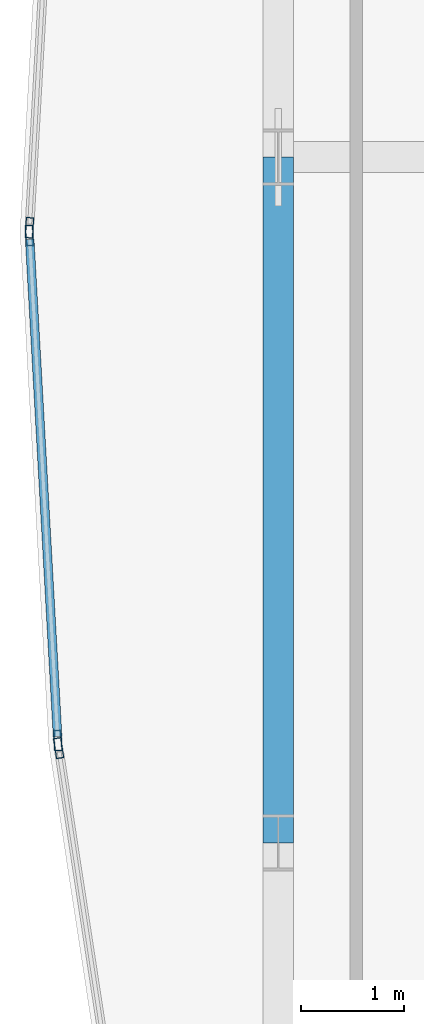
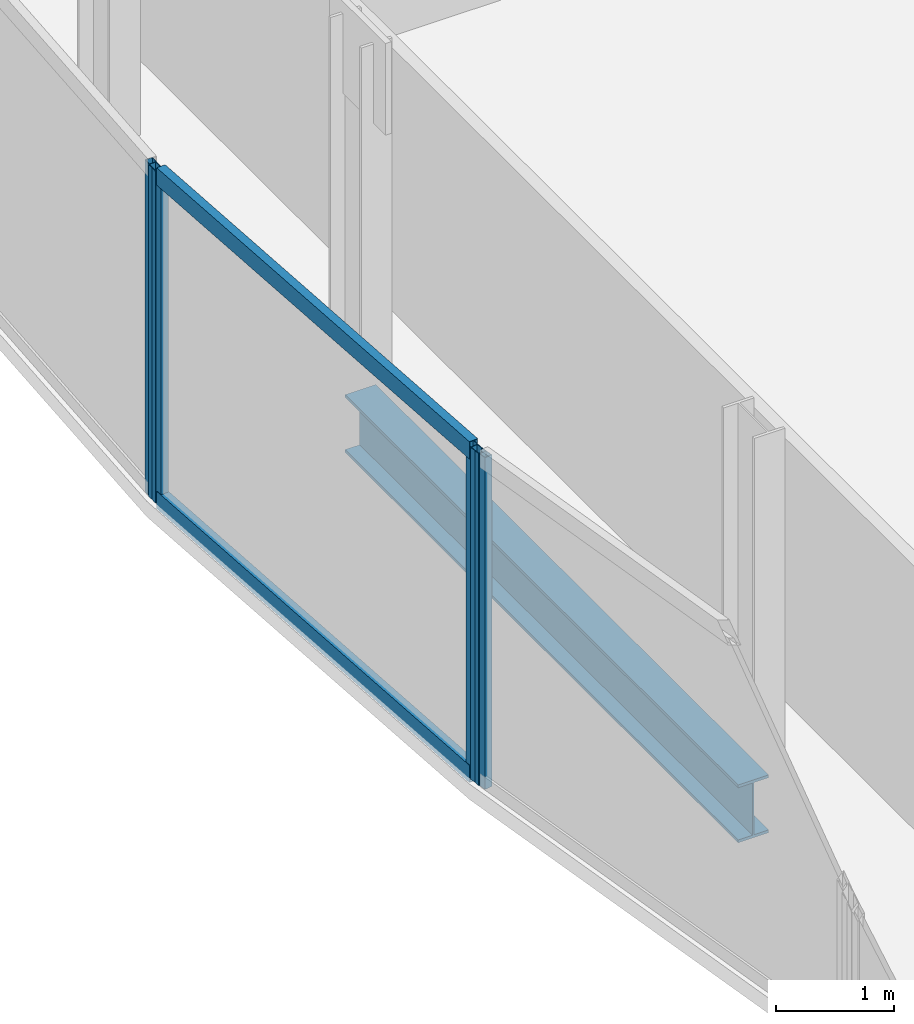
# One storey, part 10 of 33: 6 members, 1 beam, 3 elements without a shape of their own.
"""IFC4 building model written with IfcOpenShell, lengths in metres."""

import ifcopenshell
import ifcopenshell.guid

model = None  # the IFC model being written
_history = None  # IfcOwnerHistory: only IFC2X3 demands one
_inside = {}  # id of a spatial element -> (the spatial element, [elements in it])
_under = {}  # id of a project, library or spatial element -> (it, [spatial elements below it])
_declared = {}  # id of a project -> (the project, [libraries it declares])
_typed = {}  # id of a type object -> (the type object, [elements of that type])
_made_of = {}  # id of a material, layer set ... -> (it, [elements and type objects made of it])


def new_model(schema):
    """Start an empty IFC model of exactly this schema.

    Asked for "IFC4X3", IfcOpenShell would pick the latest addendum, in which some entities
    have other attributes; the version numbers below select the first issue.
    IFC2X3 requires an IfcOwnerHistory on every rooted entity: one is made here for all.
    """
    global model, _history
    if schema == "IFC4X3":
        model = ifcopenshell.file(schema_version=(4, 3, 0, 0))
    else:
        model = ifcopenshell.file(schema=schema)
    _inside.clear()
    _under.clear()
    _declared.clear()
    _typed.clear()
    _made_of.clear()
    _history = None
    if model.schema == "IFC2X3":
        org = make("IfcOrganization", Name="unknown")
        user = make(
            "IfcPersonAndOrganization",
            ThePerson=make("IfcPerson", FamilyName="unknown"),
            TheOrganization=org,
        )
        app = make(
            "IfcApplication",
            ApplicationDeveloper=org,
            Version="unknown",
            ApplicationFullName="unknown",
            ApplicationIdentifier="unknown",
        )
        _history = make(
            "IfcOwnerHistory",
            OwningUser=user,
            OwningApplication=app,
            ChangeAction="ADDED",
            CreationDate=0,
        )
    return model


def make(cls, **values):
    """One entity of the class cls with the attributes given. An attribute that is None is left unset."""
    return model.create_entity(
        cls, **{name: value for name, value in values.items() if value is not None}
    )


def rooted(cls, **values):
    """An entity with a GlobalId (a new one), such as an element, a storey or a relation."""
    return make(cls, GlobalId=ifcopenshell.guid.new(), OwnerHistory=_history, **values)


def si_unit(unit_type, name, prefix=None):
    """IfcSIUnit, for example si_unit("LENGTHUNIT", "METRE", prefix="MILLI")."""
    return make("IfcSIUnit", UnitType=unit_type, Prefix=prefix, Name=name)


def assignment(units):
    """IfcUnitAssignment: the units of a project."""
    return None if units is None else make("IfcUnitAssignment", Units=units)


def point(xyz):
    """IfcCartesianPoint."""
    return None if xyz is None else make("IfcCartesianPoint", Coordinates=xyz)


def direction(xyz):
    """IfcDirection."""
    return None if xyz is None else make("IfcDirection", DirectionRatios=xyz)


def frame(location, z_axis=None, x_axis=None):
    """IfcAxis2Placement3D, a coordinate frame: its origin and axes. An axis left out is left unset."""
    return make(
        "IfcAxis2Placement3D",
        Location=point(location),
        Axis=direction(z_axis),
        RefDirection=direction(x_axis),
    )


def frame_2d(location, x_axis=None):
    """IfcAxis2Placement2D, a coordinate frame in the plane: its origin and x axis."""
    return make(
        "IfcAxis2Placement2D", Location=point(location), RefDirection=direction(x_axis)
    )


def origin():
    """The frame at (0, 0, 0) with its axes left unset."""
    return frame((0.0, 0.0, 0.0))


def origin_2d():
    """The frame at (0, 0) in the plane with its x axis left unset."""
    return frame_2d((0.0, 0.0))


def place(relative_to, where):
    """IfcLocalPlacement: puts the frame where relative to a parent placement (None: the world)."""
    return make(
        "IfcLocalPlacement", PlacementRelTo=relative_to, RelativePlacement=where
    )


def context(
    kind, dimensions, precision=None, world=None, true_north=None, identifier=None
):
    """IfcGeometricRepresentationContext, for example the 3D "Model" context."""
    return make(
        "IfcGeometricRepresentationContext",
        ContextIdentifier=identifier,
        ContextType=kind,
        CoordinateSpaceDimension=dimensions,
        Precision=precision,
        WorldCoordinateSystem=world,
        TrueNorth=true_north,
    )


def subcontext(parent, identifier, kind, view, scale=None):
    """IfcGeometricRepresentationSubContext, for example "Body" below "Model"."""
    return make(
        "IfcGeometricRepresentationSubContext",
        ContextIdentifier=identifier,
        ContextType=kind,
        ParentContext=parent,
        TargetScale=scale,
        TargetView=view,
    )


def project(units=None, contexts=None):
    """IfcProject with its units and contexts."""
    return rooted(
        "IfcProject",
        Name="project",
        RepresentationContexts=contexts,
        UnitsInContext=assignment(units),
    )


def spatial(cls, under=None, at=None, **own):
    """A site, building, storey or space (cls), placed at a placement, below another one or the project."""
    s = rooted(cls, ObjectPlacement=at, **own)
    if under is not None:
        _under.setdefault(under.id(), (under, []))[1].append(s)
    return s


def profile(cls, at=None, kind="AREA", **sizes):
    """A parametric profile (cls). Its sizes go by their IFC names, for example OverallWidth=200.0."""
    return make(cls, ProfileType=kind, Position=at, **sizes)


def hollow_rectangle(**sizes):
    """IfcRectangleHollowProfileDef."""
    return profile("IfcRectangleHollowProfileDef", **sizes)


def i_section(**sizes):
    """IfcIShapeProfileDef."""
    return profile("IfcIShapeProfileDef", **sizes)


def extrude(swept, where, along, depth):
    """IfcExtrudedAreaSolid: the profile swept, set in the frame where, extruded along a direction by depth."""
    return make(
        "IfcExtrudedAreaSolid",
        SweptArea=swept,
        Position=where,
        ExtrudedDirection=direction(along),
        Depth=depth,
    )


def shape(context_of_items, identifier, shape_type, items):
    """IfcShapeRepresentation: the items that make up one representation, for example the "Body"."""
    return make(
        "IfcShapeRepresentation",
        ContextOfItems=context_of_items,
        RepresentationIdentifier=identifier,
        RepresentationType=shape_type,
        Items=items,
    )


def material(Name=None, Category=None):
    """IfcMaterial."""
    return make("IfcMaterial", Name=Name, Category=Category)


def material_profile(
    of_material, cross_section, Name=None, Category=None, Priority=None
):
    """IfcMaterialProfile: a cross section and its material."""
    return make(
        "IfcMaterialProfile",
        Name=Name,
        Material=of_material,
        Profile=cross_section,
        Priority=Priority,
        Category=Category,
    )


def profile_set(profiles, Name=None, composite=None):
    """IfcMaterialProfileSet."""
    return make(
        "IfcMaterialProfileSet",
        Name=Name,
        MaterialProfiles=profiles,
        CompositeProfile=composite,
    )


def made_of(thing, what):
    """Note that an element or type object is made of a material, layer set ...; save() writes the relation."""
    if what is not None:
        _made_of.setdefault(what.id(), (what, []))[1].append(thing)
    return thing


def type_object(cls, material=None, **own):
    """A type object (cls), such as IfcWallType, which elements share."""
    return made_of(rooted(cls, **own), material)


def element(
    cls,
    number,
    at=None,
    inside=None,
    cuts=None,
    type_object=None,
    material=None,
    context=None,
    identifier="Body",
    shape_type=None,
    held_by="IfcProductDefinitionShape",
    body=None,
    shapes=None,
    **own,
):
    """One element of the class cls, such as IfcWall. Its Tag is "e" and its number.

    at: its placement. inside: the storey or other place that contains it. cuts: it is an
    opening in that element (IfcRelVoidsElement). A single representation is given by context,
    identifier, shape_type and body (its items); several are given by shapes. held_by: the class
    of the entity that holds the representations. save() writes the other relations.
    """
    e = rooted(cls, Tag="e%d" % number, ObjectPlacement=at, **own)
    if body is not None:
        shapes = [shape(context, identifier, shape_type, body)]
    if shapes is not None:
        e.Representation = make(held_by, Representations=shapes)
    if inside is not None:
        _inside.setdefault(inside.id(), (inside, []))[1].append(e)
    if cuts is not None:
        rooted(
            "IfcRelVoidsElement", RelatingBuildingElement=cuts, RelatedOpeningElement=e
        )
    if type_object is not None:
        _typed.setdefault(type_object.id(), (type_object, []))[1].append(e)
    return made_of(e, material)


def aggregate(whole, parts):
    """IfcRelAggregates: a whole, such as a stair, and the parts it consists of."""
    return rooted("IfcRelAggregates", RelatingObject=whole, RelatedObjects=parts)


def save(model, path):
    """Write the relations noted so far, then the file.

    IfcRelAggregates (storeys below a building ...), IfcRelContainedInSpatialStructure (elements
    in a storey), IfcRelDefinesByType, IfcRelAssociatesMaterial and IfcRelDeclares: one each for
    every whole, place, type object, material and project.
    """
    for whole, parts in _under.values():
        aggregate(whole, parts)
    for where, things in _inside.values():
        rooted(
            "IfcRelContainedInSpatialStructure",
            RelatedElements=things,
            RelatingStructure=where,
        )
    for kind, things in _typed.values():
        rooted("IfcRelDefinesByType", RelatedObjects=things, RelatingType=kind)
    for what, things in _made_of.values():
        rooted("IfcRelAssociatesMaterial", RelatedObjects=things, RelatingMaterial=what)
    for by, libraries in _declared.values():
        rooted("IfcRelDeclares", RelatingContext=by, RelatedDefinitions=libraries)
    model.write(path)


model = new_model("IFC4")

# Units and contexts
model_context = context("Model", 3, precision=1e-05, world=origin(), true_north=direction((0.0, 1.0)))
body_context = subcontext(model_context, "Body", "Model", "MODEL_VIEW")
ifc_project = project(units=[si_unit("LENGTHUNIT", "METRE"), si_unit("AREAUNIT", "SQUARE_METRE"), si_unit("VOLUMEUNIT", "CUBIC_METRE"), si_unit("PLANEANGLEUNIT", "RADIAN"), si_unit("MASSUNIT", "GRAM", prefix="KILO")], contexts=[model_context])

# Site, building, storey
site_placement = place(None, origin())
site = spatial("IfcSite", under=ifc_project, at=site_placement, CompositionType="ELEMENT")
building_placement = place(site_placement, origin())
building = spatial("IfcBuilding", under=site, at=building_placement, Name="Khoronbel Lancet Exchange", CompositionType="ELEMENT")
storey_placement = place(building_placement, frame((0.0, 0.0, 114.60009765625)))
storey = spatial("IfcBuildingStorey", under=building, at=storey_placement, Name="L27", CompositionType="ELEMENT", Elevation=114.60009765625)

# Beam
ifc_material_1 = material(Name="Steel S355", Category="steel")
ifc_material_profile_1 = material_profile(ifc_material_1, i_section(OverallWidth=0.300048828125, OverallDepth=0.60009765625, WebThickness=0.015380859375, FlangeThickness=0.030029296875, at=origin_2d()), Name="HEB 600")
ifc_profile_set_1 = profile_set([ifc_material_profile_1], Name="Steel S355")
beam_type = type_object("IfcBeamType", Name="BM-BSP2", PredefinedType="SPANDREL", material=ifc_profile_set_1)
beam_placement = place(storey_placement, frame((3.27001953125, 31.425048828125, -0.460205078125), z_axis=(0.0, -1.0, 0.0), x_axis=(1.0, 0.0, 0.0)))
element("IfcBeam", 1, at=beam_placement, inside=storey, type_object=beam_type, Name="Level L27 perimeter spandrel beam SP19", PredefinedType="SPANDREL", context=body_context, shape_type="SweptSolid", body=[
    extrude(i_section(OverallWidth=0.300048828125, OverallDepth=0.60009765625, WebThickness=0.015380859375, FlangeThickness=0.030029296875, at=origin_2d()), origin(), (0.0, 0.0, 1.0), 6.675048828125),
])

# Curtain wall, member
ifc_material_2 = material(Name="Low-E Solar Control Insulating Glass", Category="glass")
curtain_wall_type = type_object("IfcCurtainWallType", Name="CW-4", PredefinedType="NOTDEFINED", material=ifc_material_2)
curtain_wall_1_placement = place(storey_placement, origin())
curtain_wall_1 = element("IfcCurtainWall", 2, at=curtain_wall_1_placement, inside=storey, type_object=curtain_wall_type, Name="Unitised curtain wall CW-L27-E05", PredefinedType="NOTDEFINED")
ifc_material_3 = material(Name="Bronze-Anodised Aluminium 6063-T6", Category="aluminium")
ifc_material_profile_2 = material_profile(ifc_material_3, hollow_rectangle(XDim=0.074951171875, YDim=0.199951171875, WallThickness=0.0048828125, at=origin_2d()), Name="ALU MULLION 75x200")
ifc_profile_set_2 = profile_set([ifc_material_profile_2], Name="Bronze-Anodised Aluminium 6063-T6")
member_type_1 = type_object("IfcMemberType", Name="MEM-CWM2", PredefinedType="MULLION", material=ifc_profile_set_2)
member_1_placement = place(storey_placement, frame((1.132080078125, 25.67236328125, 0.0), z_axis=(0.0, 0.0, 1.0), x_axis=(-0.988454851149, -0.151515699646, 0.0)))
member_1 = element("IfcMember", 3, at=member_1_placement, type_object=member_type_1, Name="CW4 mullion 2", PredefinedType="MULLION", context=body_context, shape_type="SweptSolid", body=[
    extrude(hollow_rectangle(XDim=0.074951171875, YDim=0.199951171875, WallThickness=0.0048828125, at=origin_2d()), origin(), (0.0, 0.0, 1.0), 3.43994140625),
])
aggregate(curtain_wall_1, [member_1])

# Curtain wall, members
curtain_wall_2_placement = place(storey_placement, origin())
curtain_wall_2 = element("IfcCurtainWall", 4, at=curtain_wall_2_placement, inside=storey, type_object=curtain_wall_type, Name="Unitised curtain wall CW-L27-E06", PredefinedType="NOTDEFINED")
member_2_placement = place(storey_placement, frame((1.124267578125, 25.746826171875, 0.0), z_axis=(0.0, 0.0, 1.0), x_axis=(-0.998429793732, -0.056017381128, 0.0)))
member_2 = element("IfcMember", 5, at=member_2_placement, type_object=member_type_1, Name="CW4 mullion 1", PredefinedType="MULLION", context=body_context, shape_type="SweptSolid", body=[
    extrude(hollow_rectangle(XDim=0.074951171875, YDim=0.199951171875, WallThickness=0.0048828125, at=origin_2d()), origin(), (0.0, 0.0, 1.0), 3.43994140625),
])
member_3_placement = place(storey_placement, frame((0.848388671875, 30.66259765625, 0.0), z_axis=(0.0, 0.0, 1.0), x_axis=(-0.998429793732, -0.056017381128, 0.0)))
member_3 = element("IfcMember", 6, at=member_3_placement, type_object=member_type_1, Name="CW4 mullion 2", PredefinedType="MULLION", context=body_context, shape_type="SweptSolid", body=[
    extrude(hollow_rectangle(XDim=0.074951171875, YDim=0.199951171875, WallThickness=0.0048828125, at=origin_2d()), origin(), (0.0, 0.0, 1.0), 3.43994140625),
])

# Curtain wall, member
curtain_wall_3_placement = place(storey_placement, origin())
curtain_wall_3 = element("IfcCurtainWall", 7, at=curtain_wall_3_placement, inside=storey, type_object=curtain_wall_type, Name="Unitised curtain wall CW-L27-E07", PredefinedType="NOTDEFINED")
member_4_placement = place(storey_placement, frame((0.848388671875, 30.737548828125, 0.0), z_axis=(0.0, 0.0, 1.0), x_axis=(-0.998429793732, 0.056017381128, 0.0)))
member_4 = element("IfcMember", 8, at=member_4_placement, type_object=member_type_1, Name="CW4 mullion 1", PredefinedType="MULLION", context=body_context, shape_type="SweptSolid", body=[
    extrude(hollow_rectangle(XDim=0.074951171875, YDim=0.199951171875, WallThickness=0.0048828125, at=origin_2d()), origin(), (0.0, 0.0, 1.0), 3.43994140625),
])
aggregate(curtain_wall_3, [member_4])

# Member
ifc_material_profile_3 = material_profile(ifc_material_3, hollow_rectangle(XDim=0.0849609375, YDim=0.179931640625, WallThickness=0.0048828125, at=origin_2d()), Name="ALU TRANSOM 85x180")
ifc_profile_set_3 = profile_set([ifc_material_profile_3], Name="Bronze-Anodised Aluminium 6063-T6")
member_type_2 = type_object("IfcMemberType", Name="MEM-CWT1", PredefinedType="USERDEFINED", material=ifc_profile_set_3)
member_5_placement = place(storey_placement, frame((1.122314453125, 25.7841796875, 0.04248046875), z_axis=(-0.056044516116, 0.998428270941, 0.0), x_axis=(-0.998428270941, -0.056044516116, 0.0)))
member_5 = element("IfcMember", 9, at=member_5_placement, type_object=member_type_2, Name="CW4 transom 1.1", ObjectType="TRANSOM", PredefinedType="USERDEFINED", context=body_context, shape_type="SweptSolid", body=[
    extrude(hollow_rectangle(XDim=0.0849609375, YDim=0.179931640625, WallThickness=0.0048828125, at=origin_2d()), origin(), (0.0, 0.0, 1.0), 4.848388671875),
])

member_6_placement = place(storey_placement, frame((1.122314453125, 25.7841796875, 3.3974609375), z_axis=(-0.056044516116, 0.998428270941, 0.0), x_axis=(-0.998428270941, -0.056044516116, 0.0)))
member_6 = element("IfcMember", 10, at=member_6_placement, type_object=member_type_2, Name="CW4 transom 1.2", ObjectType="TRANSOM", PredefinedType="USERDEFINED", context=body_context, shape_type="SweptSolid", body=[
    extrude(hollow_rectangle(XDim=0.0849609375, YDim=0.179931640625, WallThickness=0.0048828125, at=origin_2d()), origin(), (0.0, 0.0, 1.0), 4.848388671875),
])

aggregate(curtain_wall_2, [member_2, member_3, member_5, member_6])

save(model, "model.ifc")
